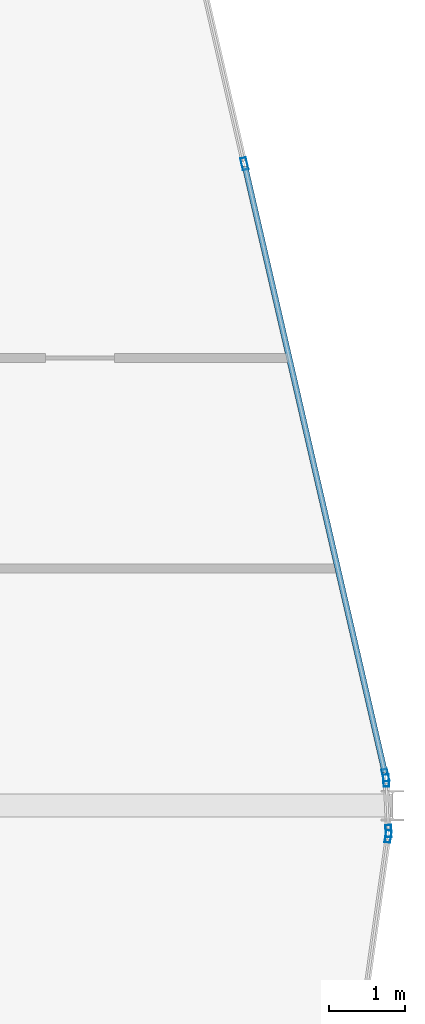
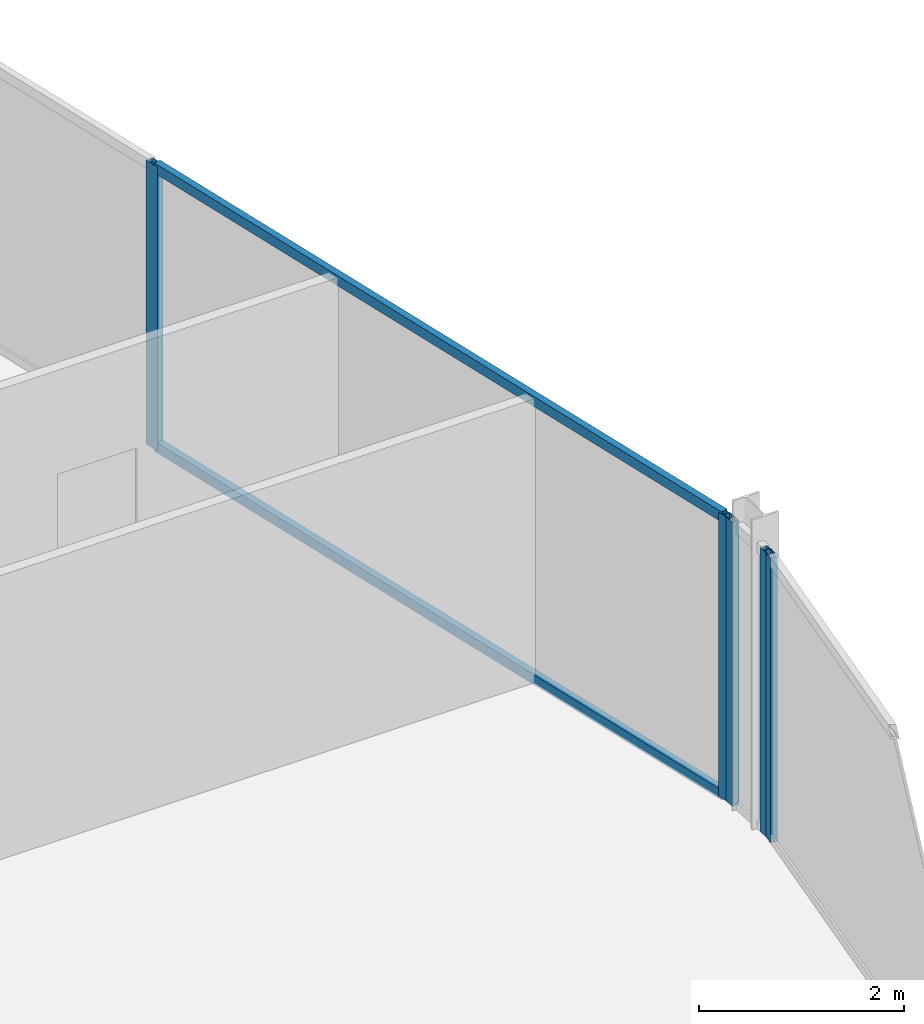
# One storey, part 14 of 27: 7 members, 3 elements without a shape of their own.
"""IFC4 building model written with IfcOpenShell, lengths in metres."""

from ifc_helpers import new_model, si_unit, direction, frame, origin, origin_2d, place, context, subcontext, project, spatial, hollow_rectangle, extrude, material, layer, layer_set, material_profile, profile_set, type_object, element, aggregate, save


model = new_model("IFC4")

# Units and contexts
model_context = context("Model", 3, precision=1e-05, world=origin(), true_north=direction((0.0, 1.0)))
body_context = subcontext(model_context, "Body", "Model", "MODEL_VIEW")
ifc_project = project(units=[si_unit("LENGTHUNIT", "METRE"), si_unit("AREAUNIT", "SQUARE_METRE"), si_unit("VOLUMEUNIT", "CUBIC_METRE"), si_unit("PLANEANGLEUNIT", "RADIAN"), si_unit("MASSUNIT", "GRAM", prefix="KILO")], contexts=[model_context])

# Site, building, storey
site_placement = place(None, origin())
site = spatial("IfcSite", under=ifc_project, at=site_placement, CompositionType="ELEMENT")
building_placement = place(site_placement, origin())
building = spatial("IfcBuilding", under=site, at=building_placement, Name="Keshet Zoharim Tower", CompositionType="ELEMENT")
storey_placement = place(building_placement, frame((0.0, 0.0, 269.5)))
storey = spatial("IfcBuildingStorey", under=building, at=storey_placement, Name="L67", CompositionType="ELEMENT", Elevation=269.5)

# Curtain wall, members
ifc_material = material(Name="Aluminium 6063-T6", Category="aluminium")
ifc_layer = layer(ifc_material, 0.260009765625)
ifc_layer_set = layer_set([ifc_layer], Name="Aluminium 6063-T6")
curtain_wall_type = type_object("IfcCurtainWallType", Name="CW-SYS-06", PredefinedType="NOTDEFINED", material=ifc_layer_set)
curtain_wall_1_placement = place(storey_placement, origin())
curtain_wall_1 = element("IfcCurtainWall", 1, at=curtain_wall_1_placement, inside=storey, type_object=curtain_wall_type, Name="L67 Unitised Curtain Wall 09", PredefinedType="NOTDEFINED")
ifc_material_profile_1 = material_profile(ifc_material, hollow_rectangle(XDim=0.074951171875, YDim=0.159912109375, WallThickness=0.00390625, at=origin_2d()), Name="MUL-75x160")
ifc_profile_set_1 = profile_set([ifc_material_profile_1], Name="Aluminium 6063-T6")
member_type_1 = type_object("IfcMemberType", Name="CWM-M15", PredefinedType="MULLION", material=ifc_profile_set_1)
member_1_placement = place(storey_placement, frame((43.063232421875, 36.291259765625, 0.0), z_axis=(0.0, 0.0, 1.0), x_axis=(0.974398012932, 0.224829963294, 0.0)))
member_1 = element("IfcMember", 2, at=member_1_placement, type_object=member_type_1, Name="CW-06 mullion 3", PredefinedType="MULLION", context=body_context, shape_type="SweptSolid", body=[
    extrude(hollow_rectangle(XDim=0.074951171875, YDim=0.159912109375, WallThickness=0.00390625, at=origin_2d()), origin(), (0.0, 0.0, 1.0), 3.389892578125),
])
member_2_placement = place(storey_placement, frame((44.908203125, 28.296142578125, 0.0), z_axis=(0.0, 0.0, 1.0), x_axis=(0.974398012932, 0.224829963294, 0.0)))
member_2 = element("IfcMember", 3, at=member_2_placement, type_object=member_type_1, Name="CW-06 mullion 4", PredefinedType="MULLION", context=body_context, shape_type="SweptSolid", body=[
    extrude(hollow_rectangle(XDim=0.074951171875, YDim=0.159912109375, WallThickness=0.00390625, at=origin_2d()), origin(), (0.0, 0.0, 1.0), 3.389892578125),
])

curtain_wall_2_placement = place(storey_placement, origin())
curtain_wall_2 = element("IfcCurtainWall", 4, at=curtain_wall_2_placement, inside=storey, type_object=curtain_wall_type, Name="L67 Unitised Curtain Wall 10", PredefinedType="NOTDEFINED")
member_3_placement = place(storey_placement, frame((44.91748046875, 28.22705078125, 0.0), z_axis=(0.0, 0.0, 1.0), x_axis=(0.999040601801, 0.043793560626, 0.0)))
member_3 = element("IfcMember", 5, at=member_3_placement, type_object=member_type_1, Name="CW-06 mullion 1", PredefinedType="MULLION", context=body_context, shape_type="SweptSolid", body=[
    extrude(hollow_rectangle(XDim=0.074951171875, YDim=0.159912109375, WallThickness=0.00390625, at=origin_2d()), origin(), (0.0, 0.0, 1.0), 3.389892578125),
])
member_4_placement = place(storey_placement, frame((44.946533203125, 27.56689453125, 0.0), z_axis=(0.0, 0.0, 1.0), x_axis=(0.999040601801, 0.043793560626, 0.0)))
member_4 = element("IfcMember", 6, at=member_4_placement, type_object=member_type_1, Name="CW-06 mullion 2", PredefinedType="MULLION", context=body_context, shape_type="SweptSolid", body=[
    extrude(hollow_rectangle(XDim=0.074951171875, YDim=0.159912109375, WallThickness=0.00390625, at=origin_2d()), origin(), (0.0, 0.0, 1.0), 3.389892578125),
])
aggregate(curtain_wall_2, [member_3, member_4])

# Curtain wall, member
curtain_wall_3_placement = place(storey_placement, origin())
curtain_wall_3 = element("IfcCurtainWall", 7, at=curtain_wall_3_placement, inside=storey, type_object=curtain_wall_type, Name="L67 Unitised Curtain Wall 11", PredefinedType="NOTDEFINED")
member_5_placement = place(storey_placement, frame((44.943115234375, 27.497314453125, 0.0), z_axis=(0.0, 0.0, 1.0), x_axis=(0.990132057422, -0.140137464177, 0.0)))
member_5 = element("IfcMember", 8, at=member_5_placement, type_object=member_type_1, Name="CW-06 mullion 1", PredefinedType="MULLION", context=body_context, shape_type="SweptSolid", body=[
    extrude(hollow_rectangle(XDim=0.074951171875, YDim=0.159912109375, WallThickness=0.00390625, at=origin_2d()), origin(), (0.0, 0.0, 1.0), 3.389892578125),
])
aggregate(curtain_wall_3, [member_5])

# Member
ifc_material_profile_2 = material_profile(ifc_material, hollow_rectangle(XDim=0.074951171875, YDim=0.1201171875, WallThickness=0.00390625, at=origin_2d()), Name="TRN-75x120")
ifc_profile_set_2 = profile_set([ifc_material_profile_2], Name="Aluminium 6063-T6")
member_type_2 = type_object("IfcMemberType", Name="CWT-T12", PredefinedType="USERDEFINED", material=ifc_profile_set_2)
member_6_placement = place(storey_placement, frame((43.0712890625, 36.25732421875, 0.034912109375), z_axis=(0.224806904107, -0.974403333259, 0.0), x_axis=(0.974403333259, 0.224806904107, 0.0)))
member_6 = element("IfcMember", 9, at=member_6_placement, type_object=member_type_2, Name="CW-06 transom 3.1", ObjectType="TRANSOM", PredefinedType="USERDEFINED", context=body_context, shape_type="SweptSolid", body=[
    extrude(hollow_rectangle(XDim=0.074951171875, YDim=0.1201171875, WallThickness=0.00390625, at=origin_2d()), origin(), (0.0, 0.0, 1.0), 8.13525390625),
])

member_7_placement = place(storey_placement, frame((43.0712890625, 36.25732421875, 3.35498046875), z_axis=(0.224806904107, -0.974403333259, 0.0), x_axis=(0.974403333259, 0.224806904107, 0.0)))
member_7 = element("IfcMember", 10, at=member_7_placement, type_object=member_type_2, Name="CW-06 transom 3.2", ObjectType="TRANSOM", PredefinedType="USERDEFINED", context=body_context, shape_type="SweptSolid", body=[
    extrude(hollow_rectangle(XDim=0.074951171875, YDim=0.1201171875, WallThickness=0.00390625, at=origin_2d()), origin(), (0.0, 0.0, 1.0), 8.13525390625),
])

aggregate(curtain_wall_1, [member_1, member_2, member_6, member_7])

save(model, "model.ifc")
